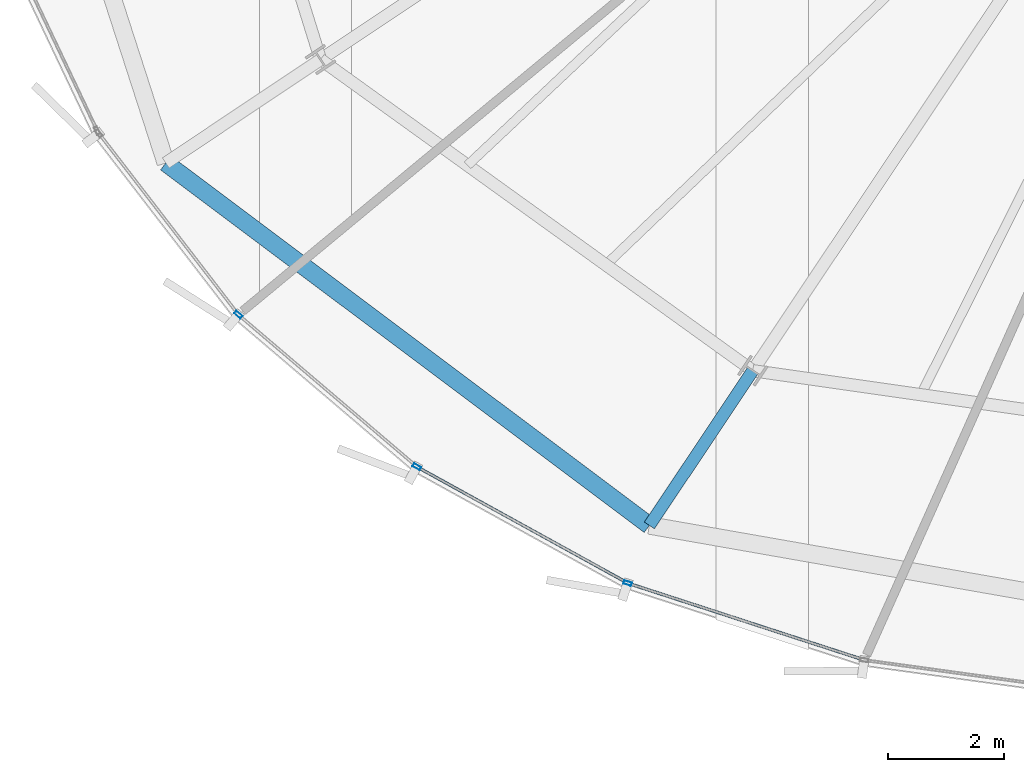
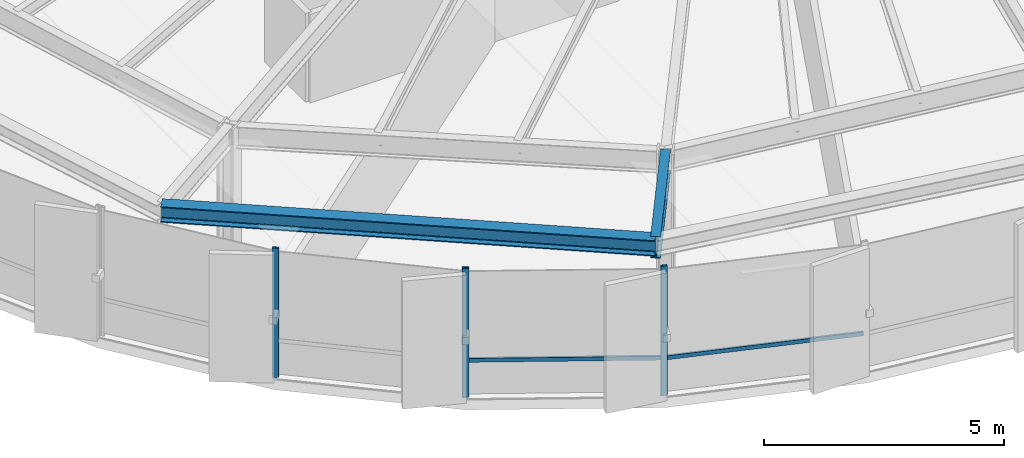
# One storey, part 2 of 32: 5 members, 2 beams, 1 element without a shape of its own.
"""IFC4 building model written with IfcOpenShell, lengths in metres."""

from ifc_helpers import new_model, si_unit, direction, frame, origin, origin_2d, place, context, subcontext, project, spatial, hollow_rectangle, i_section, extrude, source, transform, mapped, material, layer, layer_set, material_profile, profile_set, type_object, element, aggregate, save


model = new_model("IFC4")

# Units and contexts
model_context = context("Model", 3, precision=1e-05, world=origin(), true_north=direction((0.0, 1.0)))
body_context = subcontext(model_context, "Body", "Model", "MODEL_VIEW")
ifc_project = project(units=[si_unit("LENGTHUNIT", "METRE"), si_unit("AREAUNIT", "SQUARE_METRE"), si_unit("VOLUMEUNIT", "CUBIC_METRE"), si_unit("PLANEANGLEUNIT", "RADIAN"), si_unit("MASSUNIT", "GRAM", prefix="KILO"), si_unit("THERMODYNAMICTEMPERATUREUNIT", "KELVIN")], contexts=[model_context])

# Site, building, storey
site_placement = place(None, origin())
site = spatial("IfcSite", under=ifc_project, at=site_placement, CompositionType="ELEMENT")
building_placement = place(site_placement, origin())
building = spatial("IfcBuilding", under=site, at=building_placement, Name="Kethvar Cultural Tower", CompositionType="ELEMENT")
storey_placement = place(building_placement, frame((0.0, 0.0, 160.75)))
storey = spatial("IfcBuildingStorey", under=building, at=storey_placement, Name="L41", CompositionType="ELEMENT", Elevation=160.75)

# Beams
ifc_material_1 = material(Name="Steel S355J2", Category="steel")
ifc_material_profile_1 = material_profile(ifc_material_1, i_section(OverallWidth=0.2099609375, OverallDepth=0.550048828125, WebThickness=0.010986328125, FlangeThickness=0.01708984375, FilletRadius=0.02392578125, at=origin_2d()), Name="Steel S355J2 — IPE550")
ifc_profile_set_1 = profile_set([ifc_material_profile_1], Name="Steel S355J2 — IPE550")
beam_type_1 = type_object("IfcBeamType", Name="BM-IPE550", PredefinedType="BEAM", material=ifc_profile_set_1)
shared_shape_1 = source(origin(), body_context, "Body", "SweptSolid", [
    extrude(i_section(OverallWidth=0.2099609375, OverallDepth=0.550048828125, WebThickness=0.010986328125, FlangeThickness=0.01708984375, FilletRadius=0.02392578125, at=origin_2d()), origin(), (0.0, 0.0, 1.0), 3.199951171875),
])
beam_1_placement = place(storey_placement, frame((34.350830078125, 9.16845703125, 3.02294921875), z_axis=(-0.555580212716, -0.831462943996, 0.0), x_axis=(0.831462943996, -0.555580212716, 0.0)))
element("IfcBeam", 1, at=beam_1_placement, inside=storey, type_object=beam_type_1, Name="L41 Perimeter Cantilever Beam RC-11", PredefinedType="BEAM", context=body_context, shape_type="MappedRepresentation", body=[
    mapped(shared_shape_1, transform((0.0, 0.0, 0.0), scale=1.0)),
])
ifc_material_profile_2 = material_profile(ifc_material_1, i_section(OverallWidth=0.300048828125, OverallDepth=0.39990234375, WebThickness=0.013427734375, FlangeThickness=0.02392578125, FilletRadius=0.027099609375, at=origin_2d()), Name="Steel S355J2 — HEB400")
ifc_profile_set_2 = profile_set([ifc_material_profile_2], Name="Steel S355J2 — HEB400")
beam_type_2 = type_object("IfcBeamType", Name="BM-SP400", PredefinedType="SPANDREL", material=ifc_profile_set_2)
shared_shape_2 = source(origin(), body_context, "Body", "SweptSolid", [
    extrude(i_section(OverallWidth=0.300048828125, OverallDepth=0.39990234375, WebThickness=0.013427734375, FlangeThickness=0.02392578125, FilletRadius=0.027099609375, at=origin_2d()), origin(), (0.0, 0.0, 1.0), 10.38916015625),
])
beam_2_placement = place(storey_placement, frame((24.260009765625, 12.7392578125, 3.097900390625), z_axis=(0.800152249906, -0.599796946449, 0.0), x_axis=(0.599796946449, 0.800152249906, 0.0)))
element("IfcBeam", 2, at=beam_2_placement, inside=storey, type_object=beam_type_2, Name="L41 Perimeter Spandrel Beam SP-10", PredefinedType="SPANDREL", context=body_context, shape_type="MappedRepresentation", body=[
    mapped(shared_shape_2, transform((0.0, 0.0, 0.0), scale=1.0)),
])

# Curtain wall, members
ifc_material_2 = material(Name="Aluminium 6063-T6", Category="aluminium")
ifc_layer = layer(ifc_material_2, 0.179931640625, Name="Aluminium 6063-T6", Category="aluminium")
ifc_layer_set = layer_set([ifc_layer], Name="Aluminium 6063-T6 (180 mm)")
curtain_wall_type = type_object("IfcCurtainWallType", Name="CW-SYS-04-Z34", PredefinedType="NOTDEFINED", material=ifc_layer_set)
curtain_wall_placement = place(storey_placement, origin())
curtain_wall = element("IfcCurtainWall", 3, at=curtain_wall_placement, inside=storey, type_object=curtain_wall_type, Name="L41 Curtain Wall Run 04", PredefinedType="NOTDEFINED")
ifc_material_profile_3 = material_profile(ifc_material_2, hollow_rectangle(XDim=0.06005859375, YDim=0.139892578125, WallThickness=0.0048828125, at=origin_2d()), Name="Aluminium 6063-T6 — RHS140x60x5")
ifc_profile_set_3 = profile_set([ifc_material_profile_3], Name="Aluminium 6063-T6 — RHS140x60x5")
member_type_1 = type_object("IfcMemberType", Name="CW-SYS-04-Z34-MUL", PredefinedType="MULLION", material=ifc_profile_set_3)
shared_shape_3 = source(origin(), body_context, "Body", "SweptSolid", [
    extrude(hollow_rectangle(XDim=0.06005859375, YDim=0.139892578125, WallThickness=0.0048828125, at=origin_2d()), origin(), (0.0, 0.0, 1.0), 3.300048828125),
])
member_1_placement = place(storey_placement, frame((25.506591796875, 10.130615234375, 0.0), z_axis=(0.0, 0.0, 1.0), x_axis=(0.648106609614, 0.761549619247, 0.0)))
member_1 = element("IfcMember", 4, at=member_1_placement, type_object=member_type_1, Name="CW-L41-R04 Mullion 2", PredefinedType="MULLION", context=body_context, shape_type="MappedRepresentation", body=[
    mapped(shared_shape_3, transform((0.0, 0.0, 0.0), scale=1.0)),
])
member_2_placement = place(storey_placement, frame((28.575439453125, 7.515869140625, 0.0), z_axis=(0.0, 0.0, 1.0), x_axis=(0.482808640648, 0.87572587978, 0.0)))
member_2 = element("IfcMember", 5, at=member_2_placement, type_object=member_type_1, Name="CW-L41-R04 Mullion 3", PredefinedType="MULLION", context=body_context, shape_type="MappedRepresentation", body=[
    mapped(shared_shape_3, transform((0.0, 0.0, 0.0), scale=1.0)),
])
member_3_placement = place(storey_placement, frame((32.198974609375, 5.515869140625, 0.0), z_axis=(0.0, 0.0, 1.0), x_axis=(0.308967196749, 0.951072695083, 0.0)))
member_3 = element("IfcMember", 6, at=member_3_placement, type_object=member_type_1, Name="CW-L41-R04 Mullion 4", PredefinedType="MULLION", context=body_context, shape_type="MappedRepresentation", body=[
    mapped(shared_shape_3, transform((0.0, 0.0, 0.0), scale=1.0)),
])
ifc_material_profile_4 = material_profile(ifc_material_2, hollow_rectangle(XDim=0.050048828125, YDim=0.10009765625, WallThickness=0.00390625, at=origin_2d()), Name="Aluminium 6063-T6 — RHS100x50x4")
ifc_profile_set_4 = profile_set([ifc_material_profile_4], Name="Aluminium 6063-T6 — RHS100x50x4")
member_type_2 = type_object("IfcMemberType", Name="CW-SYS-04-Z34-TRN", PredefinedType="USERDEFINED", material=ifc_profile_set_4)
shared_shape_4 = source(origin(), body_context, "Body", "SweptSolid", [
    extrude(hollow_rectangle(XDim=0.050048828125, YDim=0.10009765625, WallThickness=0.00390625, at=origin_2d()), origin(), (0.0, 0.0, 1.0), 4.072998046875),
])
member_4_placement = place(storey_placement, frame((28.61328125, 7.4951171875, 0.949951171875), z_axis=(0.875721894151, -0.482815869773, 0.0), x_axis=(0.482815869773, 0.875721894151, 0.0)))
member_4 = element("IfcMember", 7, at=member_4_placement, type_object=member_type_2, Name="CW-L41-R04 Transom 3", ObjectType="TRANSOM", PredefinedType="USERDEFINED", context=body_context, shape_type="MappedRepresentation", body=[
    mapped(shared_shape_4, transform((0.0, 0.0, 0.0), scale=1.0)),
])
shared_shape_5 = source(origin(), body_context, "Body", "SweptSolid", [
    extrude(hollow_rectangle(XDim=0.050048828125, YDim=0.10009765625, WallThickness=0.00390625, at=origin_2d()), origin(), (0.0, 0.0, 1.0), 4.211181640625),
])
member_5_placement = place(storey_placement, frame((32.239990234375, 5.502685546875, 0.949951171875), z_axis=(0.951061757363, -0.309000863562, 0.0), x_axis=(0.309000863562, 0.951061757363, 0.0)))
member_5 = element("IfcMember", 8, at=member_5_placement, type_object=member_type_2, Name="CW-L41-R04 Transom 4", ObjectType="TRANSOM", PredefinedType="USERDEFINED", context=body_context, shape_type="MappedRepresentation", body=[
    mapped(shared_shape_5, transform((0.0, 0.0, 0.0), scale=1.0)),
])
aggregate(curtain_wall, [member_1, member_2, member_3, member_4, member_5])

save(model, "model.ifc")
